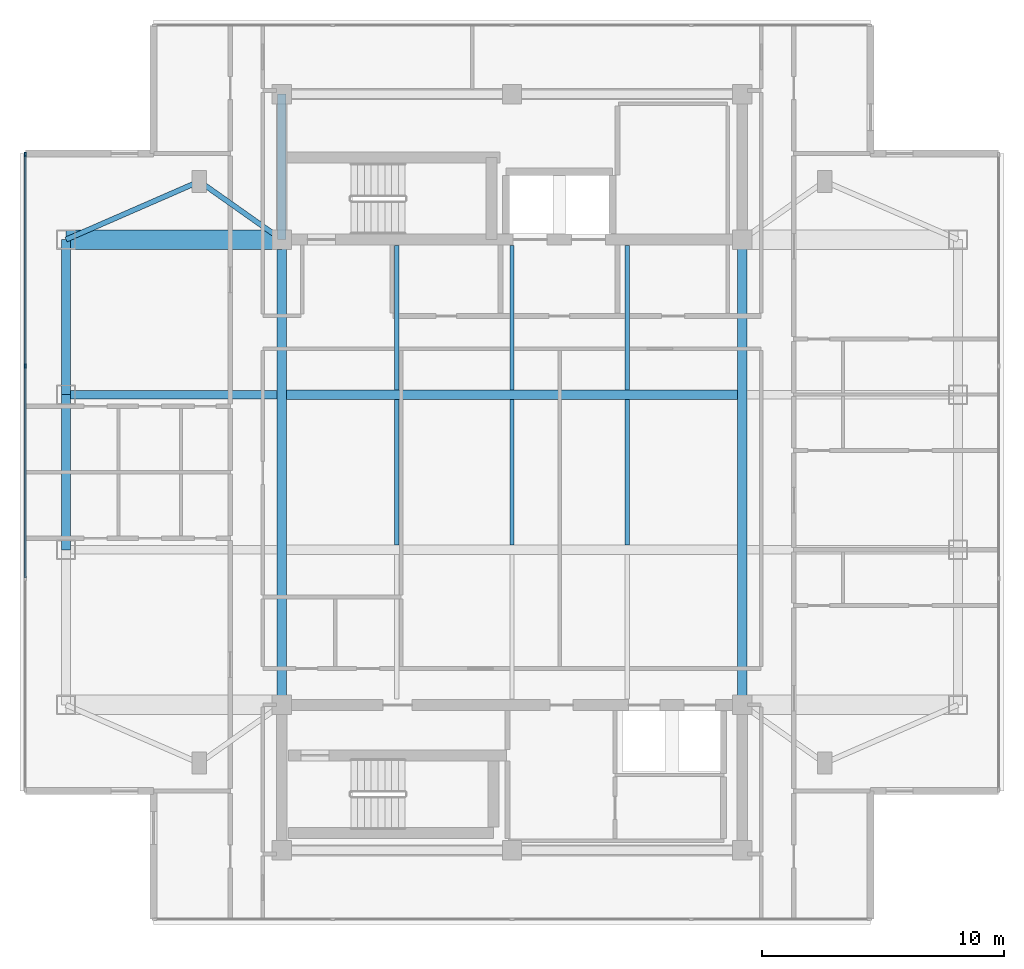
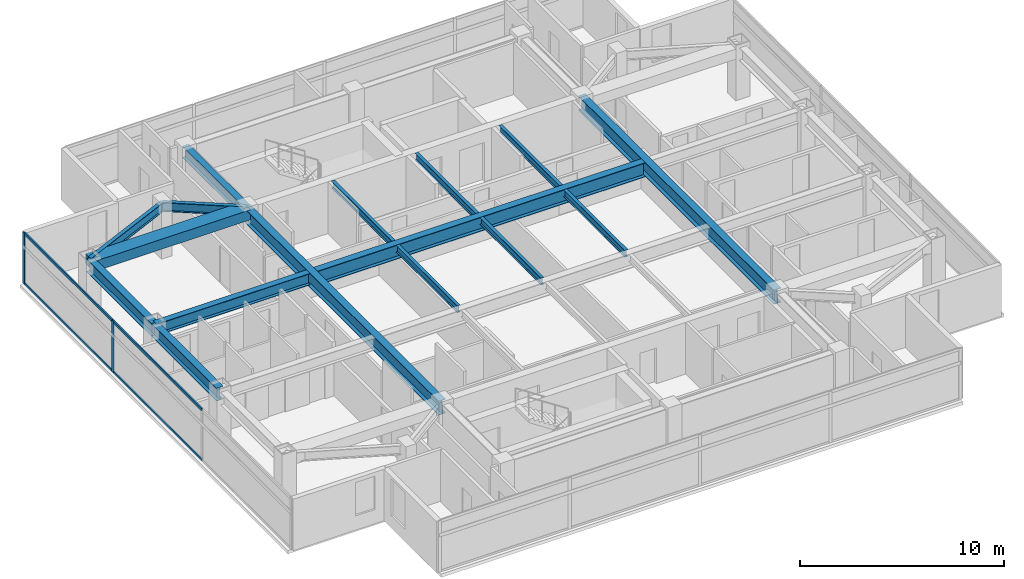
# One storey, part 3 of 12: 16 beams, 6 members, 1 element without a shape of its own.
"""IFC4 building model written with IfcOpenShell, lengths in metres."""

from ifc_helpers import new_model, si_unit, direction, frame, origin, origin_2d, place, context, subcontext, project, spatial, rectangle, i_section, extrude, material, material_profile, profile_set, type_object, element, aggregate, save


model = new_model("IFC4")

# Units and contexts
model_context = context("Model", 3, precision=1e-05, world=origin(), true_north=direction((0.0, 1.0)))
body_context = subcontext(model_context, "Body", "Model", "MODEL_VIEW")
ifc_project = project(units=[si_unit("LENGTHUNIT", "METRE"), si_unit("AREAUNIT", "SQUARE_METRE"), si_unit("VOLUMEUNIT", "CUBIC_METRE"), si_unit("PLANEANGLEUNIT", "RADIAN"), si_unit("MASSUNIT", "GRAM", prefix="KILO")], contexts=[model_context])

# Site, building, storey
site_placement = place(None, origin())
site = spatial("IfcSite", under=ifc_project, at=site_placement, CompositionType="ELEMENT")
building_placement = place(site_placement, origin())
building = spatial("IfcBuilding", under=site, at=building_placement, Name="Mirazonda Arch Towers", CompositionType="ELEMENT")
storey_placement = place(building_placement, frame((0.0, 0.0, 219.39990234375)))
storey = spatial("IfcBuildingStorey", under=building, at=storey_placement, Name="L62", CompositionType="ELEMENT", Elevation=219.39990234375)

# Beams
ifc_material_1 = material(Name="Steel ASTM A992 Grade 50", Category="steel")
ifc_material_profile_1 = material_profile(ifc_material_1, i_section(OverallWidth=0.381103515625, OverallDepth=0.77294921875, WebThickness=0.0166015625, FlangeThickness=0.027099609375, at=origin_2d()), Name="W30X173")
ifc_profile_set_1 = profile_set([ifc_material_profile_1], Name="Steel ASTM A992 Grade 50")
beam_type_1 = type_object("IfcBeamType", Name="BM-EXT-W30X173", PredefinedType="USERDEFINED", material=ifc_profile_set_1)
beam_1_placement = place(storey_placement, frame((2.10009765625, 24.800048828125, 2.713623046875), z_axis=(0.0, 1.0, 0.0), x_axis=(-1.0, 0.0, 0.0)))
element("IfcBeam", 1, at=beam_1_placement, inside=storey, type_object=beam_type_1, Name="L62 Floor Beam BM-T1-L62-NS-W-24", ObjectType="GIRDER", PredefinedType="USERDEFINED", context=body_context, shape_type="SweptSolid", body=[
    extrude(i_section(OverallWidth=0.381103515625, OverallDepth=0.77294921875, WebThickness=0.0166015625, FlangeThickness=0.027099609375, at=origin_2d()), origin(), (0.0, 0.0, 1.0), 6.39990234375),
])
beam_2_placement = place(storey_placement, frame((2.10009765625, 31.199951171875, 2.713623046875), z_axis=(0.0, 1.0, 0.0), x_axis=(-1.0, 0.0, 0.0)))
element("IfcBeam", 2, at=beam_2_placement, inside=storey, type_object=beam_type_1, Name="L62 Floor Beam BM-T1-L62-NS-W-31", ObjectType="GIRDER", PredefinedType="USERDEFINED", context=body_context, shape_type="SweptSolid", body=[
    extrude(i_section(OverallWidth=0.381103515625, OverallDepth=0.77294921875, WebThickness=0.0166015625, FlangeThickness=0.027099609375, at=origin_2d()), origin(), (0.0, 0.0, 1.0), 6.400146484375),
])
ifc_material_profile_2 = material_profile(ifc_material_1, i_section(OverallWidth=0.180908203125, OverallDepth=0.4169921875, WebThickness=0.010986328125, FlangeThickness=0.018310546875, at=origin_2d()), Name="W16X57")
ifc_profile_set_2 = profile_set([ifc_material_profile_2], Name="Steel ASTM A992 Grade 50")
beam_type_2 = type_object("IfcBeamType", Name="BM-INT-W16X57", PredefinedType="JOIST", material=ifc_profile_set_2)
beam_3_placement = place(storey_placement, frame((15.75, 31.39599609375, 2.8916015625), z_axis=(0.0, 1.0, 0.0), x_axis=(-1.0, 0.0, 0.0)))
element("IfcBeam", 3, at=beam_3_placement, inside=storey, type_object=beam_type_2, Name="L62 Floor Beam BM-T1-L62-J-157-31", PredefinedType="JOIST", context=body_context, shape_type="SweptSolid", body=[
    extrude(i_section(OverallWidth=0.180908203125, OverallDepth=0.4169921875, WebThickness=0.010986328125, FlangeThickness=0.018310546875, at=origin_2d()), origin(), (0.0, 0.0, 1.0), 5.964111328125),
])
beam_4_placement = place(storey_placement, frame((15.75, 24.99609375, 2.8916015625), z_axis=(0.0, 1.0, 0.0), x_axis=(-1.0, 0.0, 0.0)))
element("IfcBeam", 4, at=beam_4_placement, inside=storey, type_object=beam_type_2, Name="L62 Floor Beam BM-T1-L62-J-157-24", PredefinedType="JOIST", context=body_context, shape_type="SweptSolid", body=[
    extrude(i_section(OverallWidth=0.180908203125, OverallDepth=0.4169921875, WebThickness=0.010986328125, FlangeThickness=0.018310546875, at=origin_2d()), origin(), (0.0, 0.0, 1.0), 6.0078125),
])
beam_5_placement = place(storey_placement, frame((20.5, 31.39599609375, 2.8916015625), z_axis=(0.0, 1.0, 0.0), x_axis=(-1.0, 0.0, 0.0)))
element("IfcBeam", 5, at=beam_5_placement, inside=storey, type_object=beam_type_2, Name="L62 Floor Beam BM-T1-L62-J-205-31", PredefinedType="JOIST", context=body_context, shape_type="SweptSolid", body=[
    extrude(i_section(OverallWidth=0.180908203125, OverallDepth=0.4169921875, WebThickness=0.010986328125, FlangeThickness=0.018310546875, at=origin_2d()), origin(), (0.0, 0.0, 1.0), 5.964111328125),
])
beam_6_placement = place(storey_placement, frame((20.5, 24.99609375, 2.8916015625), z_axis=(0.0, 1.0, 0.0), x_axis=(-1.0, 0.0, 0.0)))
element("IfcBeam", 6, at=beam_6_placement, inside=storey, type_object=beam_type_2, Name="L62 Floor Beam BM-T1-L62-J-205-24", PredefinedType="JOIST", context=body_context, shape_type="SweptSolid", body=[
    extrude(i_section(OverallWidth=0.180908203125, OverallDepth=0.4169921875, WebThickness=0.010986328125, FlangeThickness=0.018310546875, at=origin_2d()), origin(), (0.0, 0.0, 1.0), 6.0078125),
])
beam_7_placement = place(storey_placement, frame((25.25, 31.39599609375, 2.8916015625), z_axis=(0.0, 1.0, 0.0), x_axis=(-1.0, 0.0, 0.0)))
element("IfcBeam", 7, at=beam_7_placement, inside=storey, type_object=beam_type_2, Name="L62 Floor Beam BM-T1-L62-J-252-31", PredefinedType="JOIST", context=body_context, shape_type="SweptSolid", body=[
    extrude(i_section(OverallWidth=0.180908203125, OverallDepth=0.4169921875, WebThickness=0.010986328125, FlangeThickness=0.018310546875, at=origin_2d()), origin(), (0.0, 0.0, 1.0), 5.964111328125),
])
beam_8_placement = place(storey_placement, frame((25.25, 24.99609375, 2.8916015625), z_axis=(0.0, 1.0, 0.0), x_axis=(-1.0, 0.0, 0.0)))
element("IfcBeam", 8, at=beam_8_placement, inside=storey, type_object=beam_type_2, Name="L62 Floor Beam BM-T1-L62-J-252-24", PredefinedType="JOIST", context=body_context, shape_type="SweptSolid", body=[
    extrude(i_section(OverallWidth=0.180908203125, OverallDepth=0.4169921875, WebThickness=0.010986328125, FlangeThickness=0.018310546875, at=origin_2d()), origin(), (0.0, 0.0, 1.0), 6.0078125),
])
ifc_material_profile_3 = material_profile(ifc_material_1, i_section(OverallWidth=0.214111328125, OverallDepth=0.549072265625, WebThickness=0.0146484375, FlangeThickness=0.023681640625, at=origin_2d()), Name="W21X93")
ifc_profile_set_3 = profile_set([ifc_material_profile_3], Name="Steel ASTM A992 Grade 50")
beam_type_3 = type_object("IfcBeamType", Name="BM-INT-W21X93", PredefinedType="BEAM", material=ifc_profile_set_3)
beam_9_placement = place(storey_placement, frame((7.60009765625, 40.0, 2.82568359375), z_axis=(0.816971114901, -0.576678591087, 0.0), x_axis=(0.576678591087, 0.816971114901, 0.0)))
element("IfcBeam", 9, at=beam_9_placement, inside=storey, type_object=beam_type_3, Name="L62 Floor Beam BM-T1-L62-PL-NW1", PredefinedType="BEAM", context=body_context, shape_type="SweptSolid", body=[
    extrude(i_section(OverallWidth=0.214111328125, OverallDepth=0.549072265625, WebThickness=0.0146484375, FlangeThickness=0.023681640625, at=origin_2d()), origin(), (0.0, 0.0, 1.0), 4.16162109375),
])
beam_10_placement = place(storey_placement, frame((7.60009765625, 40.0, 2.82568359375), z_axis=(-0.916545343703, -0.399930785183, 0.0), x_axis=(0.399930785183, -0.916545343703, 0.0)))
element("IfcBeam", 10, at=beam_10_placement, inside=storey, type_object=beam_type_3, Name="L62 Floor Beam BM-T1-L62-PL-NW2", PredefinedType="BEAM", context=body_context, shape_type="SweptSolid", body=[
    extrude(i_section(OverallWidth=0.214111328125, OverallDepth=0.549072265625, WebThickness=0.0146484375, FlangeThickness=0.023681640625, at=origin_2d()), origin(), (0.0, 0.0, 1.0), 6.000732421875),
])
ifc_material_profile_4 = material_profile(ifc_material_1, i_section(OverallWidth=0.35498046875, OverallDepth=0.696044921875, WebThickness=0.015380859375, FlangeThickness=0.02490234375, at=origin_2d()), Name="W27X146")
ifc_profile_set_4 = profile_set([ifc_material_profile_4], Name="Steel ASTM A992 Grade 50")
beam_type_4 = type_object("IfcBeamType", Name="BM-INT-W27X146", PredefinedType="BEAM", material=ifc_profile_set_4)
beam_11_placement = place(storey_placement, frame((2.10009765625, 31.199951171875, 2.752197265625), z_axis=(1.0, 0.0, 0.0), x_axis=(0.0, 1.0, 0.0)))
element("IfcBeam", 11, at=beam_11_placement, inside=storey, type_object=beam_type_4, Name="L62 Floor Beam BM-T1-L62-GW3", PredefinedType="BEAM", context=body_context, shape_type="SweptSolid", body=[
    extrude(i_section(OverallWidth=0.35498046875, OverallDepth=0.696044921875, WebThickness=0.015380859375, FlangeThickness=0.02490234375, at=origin_2d()), origin(), (0.0, 0.0, 1.0), 8.699951171875),
])
beam_12_placement = place(storey_placement, frame((11.0, 37.60009765625, 2.752197265625), z_axis=(0.0, 1.0, 0.0), x_axis=(-1.0, 0.0, 0.0)))
element("IfcBeam", 12, at=beam_12_placement, inside=storey, type_object=beam_type_4, Name="L62 Floor Beam BM-T1-L62-CNW", PredefinedType="BEAM", context=body_context, shape_type="SweptSolid", body=[
    extrude(i_section(OverallWidth=0.35498046875, OverallDepth=0.696044921875, WebThickness=0.015380859375, FlangeThickness=0.02490234375, at=origin_2d()), origin(), (0.0, 0.0, 1.0), 6.0),
])
ifc_material_profile_5 = material_profile(ifc_material_1, i_section(OverallWidth=0.39990234375, OverallDepth=0.85595703125, WebThickness=0.018310546875, FlangeThickness=0.029296875, at=origin_2d()), Name="W33X201")
ifc_profile_set_5 = profile_set([ifc_material_profile_5], Name="Steel ASTM A992 Grade 50")
beam_type_5 = type_object("IfcBeamType", Name="BM-INT-W33X201", PredefinedType="USERDEFINED", material=ifc_profile_set_5)
beam_13_placement = place(storey_placement, frame((11.199951171875, 31.199951171875, 2.672119140625), z_axis=(1.0, 0.0, 0.0), x_axis=(0.0, 1.0, 0.0)))
element("IfcBeam", 13, at=beam_13_placement, inside=storey, type_object=beam_type_5, Name="L62 Floor Beam BM-T1-L62-GC3", ObjectType="GIRDER", PredefinedType="USERDEFINED", context=body_context, shape_type="SweptSolid", body=[
    extrude(i_section(OverallWidth=0.39990234375, OverallDepth=0.85595703125, WebThickness=0.018310546875, FlangeThickness=0.029296875, at=origin_2d()), origin(), (0.0, 0.0, 1.0), 18.60009765625),
])
for number, where, z_axis, x_axis, name in (
    (14, (11.0, 18.39990234375, 2.672119140625), (0.0, 1.0, 0.0), (-1.0, 0.0, 0.0), "L62 Floor Beam BM-T1-L62-NS-CW-FULL"),
    (15, (30.0, 18.39990234375, 2.672119140625), (0.0, 1.0, 0.0), (-1.0, 0.0, 0.0), "L62 Floor Beam BM-T1-L62-NS-CE-FULL"),
):
    element("IfcBeam", number, at=place(storey_placement, frame(where, z_axis=z_axis, x_axis=x_axis)), inside=storey, type_object=beam_type_5, Name=name, ObjectType="GIRDER", PredefinedType="USERDEFINED", context=body_context, shape_type="SweptSolid", body=[
        extrude(i_section(OverallWidth=0.39990234375, OverallDepth=0.85595703125, WebThickness=0.018310546875, FlangeThickness=0.029296875, at=origin_2d()), origin(), (0.0, 0.0, 1.0), 19.2001953125),
    ])
ifc_material_2 = material(Name="Concrete C60/75", Category="concrete")
ifc_material_profile_6 = material_profile(ifc_material_2, rectangle(XDim=0.800048828125, YDim=0.60009765625, at=origin_2d()), Name="RCCB800x600")
ifc_profile_set_6 = profile_set([ifc_material_profile_6], Name="Concrete C60/75")
beam_type_6 = type_object("IfcBeamType", Name="CB-INT-RCCB800x600", PredefinedType="SPANDREL", material=ifc_profile_set_6)
beam_14_placement = place(storey_placement, frame((2.10009765625, 37.60009765625, 2.800048828125), z_axis=(1.0, 0.0, 0.0), x_axis=(0.0, 1.0, 0.0)))
element("IfcBeam", 16, at=beam_14_placement, inside=storey, type_object=beam_type_6, Name="L62 Floor Beam CBC-T1-L62-NW", PredefinedType="SPANDREL", context=body_context, shape_type="SweptSolid", body=[
    extrude(rectangle(XDim=0.800048828125, YDim=0.60009765625, at=origin_2d()), origin(), (0.0, 0.0, 1.0), 8.89990234375),
])

# Curtain wall, members
ifc_material_3 = material(Name="Anodised Aluminium and Low-E Glass", Category="aluminium")
curtain_wall_type = type_object("IfcCurtainWallType", Name="CW-RES-UNIT", PredefinedType="NOTDEFINED", material=ifc_material_3)
curtain_wall_placement = place(storey_placement, origin())
curtain_wall = element("IfcCurtainWall", 17, at=curtain_wall_placement, inside=storey, type_object=curtain_wall_type, Name="L62 T1 W Facade CW-L62-T1-W", PredefinedType="NOTDEFINED")
ifc_material_4 = material(Name="Anodised Aluminium Alloy", Category="aluminium")
ifc_material_profile_7 = material_profile(ifc_material_4, rectangle(XDim=0.074951171875, YDim=0.175048828125, at=origin_2d()), Name="ALU-MULL-75x175")
ifc_profile_set_7 = profile_set([ifc_material_profile_7], Name="Anodised Aluminium Alloy")
member_type_1 = type_object("IfcMemberType", Name="MULL-CW-RES-UNIT", PredefinedType="MULLION", material=ifc_profile_set_7)
member_1_placement = place(storey_placement, frame((0.419921875, 41.112548828125, 0.0), z_axis=(0.0, 0.0, 1.0), x_axis=(1.0, 0.0, 0.0)))
member_1 = element("IfcMember", 18, at=member_1_placement, type_object=member_type_1, Name="CW-104 mullion 1", PredefinedType="MULLION", context=body_context, shape_type="SweptSolid", body=[
    extrude(rectangle(XDim=0.074951171875, YDim=0.175048828125, at=origin_2d()), origin(), (0.0, 0.0, 1.0), 3.080078125),
])
member_2_placement = place(storey_placement, frame((0.419921875, 32.38330078125, 0.0), z_axis=(0.0, 0.0, 1.0), x_axis=(1.0, 0.0, 0.0)))
member_2 = element("IfcMember", 19, at=member_2_placement, type_object=member_type_1, Name="CW-104 mullion 2", PredefinedType="MULLION", context=body_context, shape_type="SweptSolid", body=[
    extrude(rectangle(XDim=0.074951171875, YDim=0.175048828125, at=origin_2d()), origin(), (0.0, 0.0, 1.0), 3.080078125),
])
ifc_material_profile_8 = material_profile(ifc_material_4, rectangle(XDim=0.074951171875, YDim=0.155029296875, at=origin_2d()), Name="ALU-TRAN-75x155")
ifc_profile_set_8 = profile_set([ifc_material_profile_8], Name="Anodised Aluminium Alloy")
member_type_2 = type_object("IfcMemberType", Name="TRAN-CW-RES-UNIT", PredefinedType="USERDEFINED", material=ifc_profile_set_8)
member_3_placement = place(storey_placement, frame((0.419921875, 41.074951171875, 0.03759765625), z_axis=(0.0, -1.0, 0.0), x_axis=(1.0, 0.0, 0.0)))
member_3 = element("IfcMember", 20, at=member_3_placement, type_object=member_type_2, Name="CW-104 transom 1.1", ObjectType="TRANSOM", PredefinedType="USERDEFINED", context=body_context, shape_type="SweptSolid", body=[
    extrude(rectangle(XDim=0.074951171875, YDim=0.155029296875, at=origin_2d()), origin(), (0.0, 0.0, 1.0), 8.654052734375),
])
member_4_placement = place(storey_placement, frame((0.419921875, 41.074951171875, 3.04248046875), z_axis=(0.0, -1.0, 0.0), x_axis=(1.0, 0.0, 0.0)))
member_4 = element("IfcMember", 21, at=member_4_placement, type_object=member_type_2, Name="CW-104 transom 1.2", ObjectType="TRANSOM", PredefinedType="USERDEFINED", context=body_context, shape_type="SweptSolid", body=[
    extrude(rectangle(XDim=0.074951171875, YDim=0.155029296875, at=origin_2d()), origin(), (0.0, 0.0, 1.0), 8.654052734375),
])
member_5_placement = place(storey_placement, frame((0.419921875, 32.345947265625, 0.03759765625), z_axis=(0.0, -1.0, 0.0), x_axis=(1.0, 0.0, 0.0)))
member_5 = element("IfcMember", 22, at=member_5_placement, type_object=member_type_2, Name="CW-104 transom 2.1", ObjectType="TRANSOM", PredefinedType="USERDEFINED", context=body_context, shape_type="SweptSolid", body=[
    extrude(rectangle(XDim=0.074951171875, YDim=0.155029296875, at=origin_2d()), origin(), (0.0, 0.0, 1.0), 8.69189453125),
])
member_6_placement = place(storey_placement, frame((0.419921875, 32.345947265625, 3.04248046875), z_axis=(0.0, -1.0, 0.0), x_axis=(1.0, 0.0, 0.0)))
member_6 = element("IfcMember", 23, at=member_6_placement, type_object=member_type_2, Name="CW-104 transom 2.2", ObjectType="TRANSOM", PredefinedType="USERDEFINED", context=body_context, shape_type="SweptSolid", body=[
    extrude(rectangle(XDim=0.074951171875, YDim=0.155029296875, at=origin_2d()), origin(), (0.0, 0.0, 1.0), 8.69189453125),
])
aggregate(curtain_wall, [member_1, member_2, member_3, member_4, member_5, member_6])

save(model, "model.ifc")
